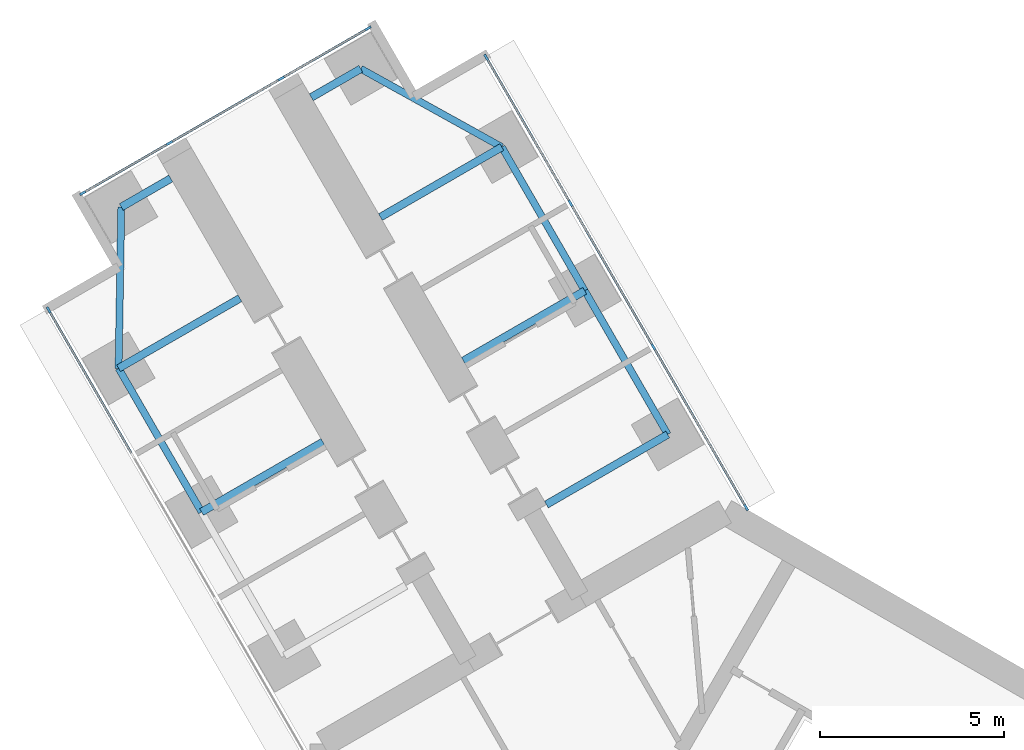
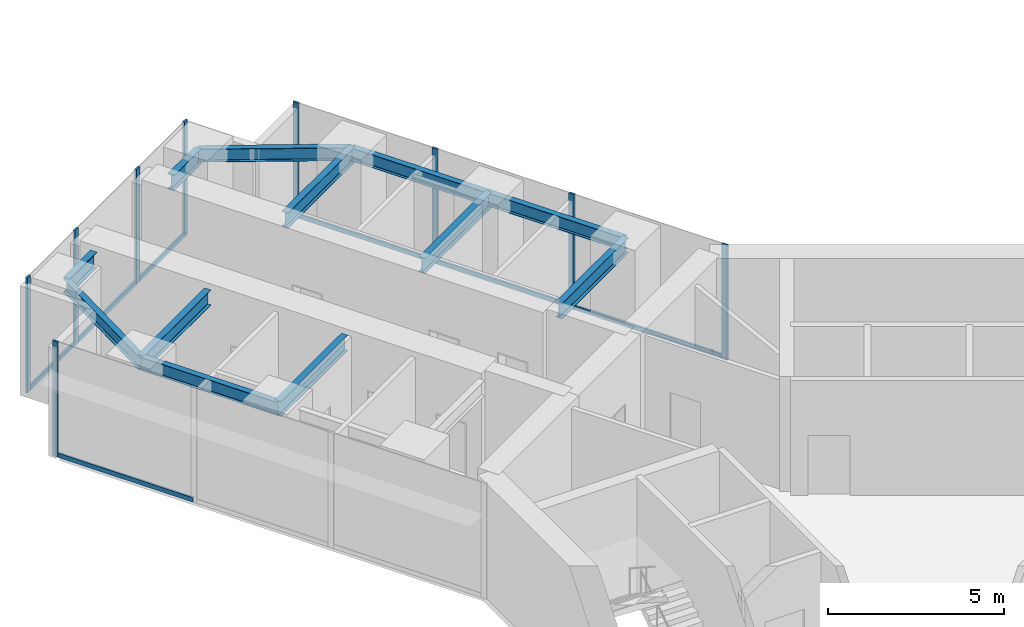
# One storey, part 7 of 24: 16 members, 12 beams, 3 elements without a shape of their own.
"""IFC4 building model written with IfcOpenShell, lengths in metres."""

from ifc_helpers import new_model, si_unit, direction, frame, origin, origin_2d, place, context, subcontext, project, spatial, rectangle, i_section, extrude, material, material_profile, profile_set, type_object, element, aggregate, save


model = new_model("IFC4")

# Units and contexts
model_context = context("Model", 3, precision=1e-05, world=origin(), true_north=direction((0.0, 1.0)))
body_context = subcontext(model_context, "Body", "Model", "MODEL_VIEW")
ifc_project = project(units=[si_unit("LENGTHUNIT", "METRE"), si_unit("AREAUNIT", "SQUARE_METRE"), si_unit("VOLUMEUNIT", "CUBIC_METRE"), si_unit("PLANEANGLEUNIT", "RADIAN"), si_unit("MASSUNIT", "GRAM", prefix="KILO")], contexts=[model_context])

# Site, building, storey
site_placement = place(None, origin())
site = spatial("IfcSite", under=ifc_project, at=site_placement, CompositionType="ELEMENT")
building_placement = place(site_placement, origin())
building = spatial("IfcBuilding", under=site, at=building_placement, Name="Upepo Twin Towers", CompositionType="ELEMENT")
storey_placement = place(building_placement, frame((0.0, 0.0, 60.5)))
storey = spatial("IfcBuildingStorey", under=building, at=storey_placement, Name="L14", CompositionType="ELEMENT", Elevation=60.5)

# Beams
ifc_material_1 = material(Name="Steel S355", Category="steel")
ifc_material_profile_1 = material_profile(ifc_material_1, i_section(OverallWidth=0.1904296875, OverallDepth=0.45703125, WebThickness=0.009033203125, FlangeThickness=0.014404296875, FilletRadius=0.01025390625, at=origin_2d()), Name="UB 457x191x74")
ifc_profile_set_1 = profile_set([ifc_material_profile_1], Name="Steel S355")
beam_type_1 = type_object("IfcBeamType", Name="Beam UB 457x191x74", PredefinedType="BEAM", material=ifc_profile_set_1)
beam_1_placement = place(storey_placement, frame((-14.196044921875, 12.58837890625, 3.571533203125), z_axis=(-0.499990139034, 0.866031096941, 0.0), x_axis=(-0.866031096941, -0.499990139034, 0.0)))
element("IfcBeam", 1, at=beam_1_placement, inside=storey, type_object=beam_type_1, Name="T1 edge beam BL 18.0-22.5", PredefinedType="BEAM", context=body_context, shape_type="SweptSolid", body=[
    extrude(i_section(OverallWidth=0.1904296875, OverallDepth=0.45703125, WebThickness=0.009033203125, FlangeThickness=0.014404296875, FilletRadius=0.01025390625, at=origin_2d()), origin(), (0.0, 0.0, 1.0), 4.5),
])
beam_2_placement = place(storey_placement, frame((-16.446044921875, 16.485595703125, 3.571533203125), z_axis=(0.016803880528, 0.999858804832, 0.0), x_axis=(-0.999858804832, 0.016803880528, 0.0)))
element("IfcBeam", 2, at=beam_2_placement, inside=storey, type_object=beam_type_1, Name="T1 nose edge beam BL", PredefinedType="BEAM", context=body_context, shape_type="SweptSolid", body=[
    extrude(i_section(OverallWidth=0.1904296875, OverallDepth=0.45703125, WebThickness=0.009033203125, FlangeThickness=0.014404296875, FilletRadius=0.01025390625, at=origin_2d()), origin(), (0.0, 0.0, 1.0), 4.373291015625),
])
beam_3_placement = place(storey_placement, frame((-1.553955078125, 14.69140625, 3.571533203125), z_axis=(-0.500013631625, 0.866017533419, 0.0), x_axis=(-0.866017533419, -0.500013631625, 0.0)))
element("IfcBeam", 3, at=beam_3_placement, inside=storey, type_object=beam_type_1, Name="T1 edge beam BR 13.5-18.0", PredefinedType="BEAM", context=body_context, shape_type="SweptSolid", body=[
    extrude(i_section(OverallWidth=0.1904296875, OverallDepth=0.45703125, WebThickness=0.009033203125, FlangeThickness=0.014404296875, FilletRadius=0.01025390625, at=origin_2d()), origin(), (0.0, 0.0, 1.0), 4.499755859375),
])
beam_4_placement = place(storey_placement, frame((-3.803955078125, 18.58837890625, 3.571533203125), z_axis=(-0.499990139034, 0.866031096941, 0.0), x_axis=(-0.866031096941, -0.499990139034, 0.0)))
element("IfcBeam", 4, at=beam_4_placement, inside=storey, type_object=beam_type_1, Name="T1 edge beam BR 18.0-22.5", PredefinedType="BEAM", context=body_context, shape_type="SweptSolid", body=[
    extrude(i_section(OverallWidth=0.1904296875, OverallDepth=0.45703125, WebThickness=0.009033203125, FlangeThickness=0.014404296875, FilletRadius=0.01025390625, at=origin_2d()), origin(), (0.0, 0.0, 1.0), 4.5),
])
beam_5_placement = place(storey_placement, frame((-6.053955078125, 22.485595703125, 3.571533203125), z_axis=(-0.874312600038, 0.485363242752, 0.0), x_axis=(-0.485363242752, -0.874312600038, 0.0)))
element("IfcBeam", 5, at=beam_5_placement, inside=storey, type_object=beam_type_1, Name="T1 nose edge beam BR", PredefinedType="BEAM", context=body_context, shape_type="SweptSolid", body=[
    extrude(i_section(OverallWidth=0.1904296875, OverallDepth=0.45703125, WebThickness=0.009033203125, FlangeThickness=0.014404296875, FilletRadius=0.01025390625, at=origin_2d()), origin(), (0.0, 0.0, 1.0), 4.373046875),
])
ifc_material_2 = material(Name="Steel S355", Category="steel")
ifc_material_profile_2 = material_profile(ifc_material_2, i_section(OverallWidth=0.2119140625, OverallDepth=0.54443359375, WebThickness=0.0126953125, FlangeThickness=0.021240234375, FilletRadius=0.0126953125, at=origin_2d()), Name="UB 533x210x122")
ifc_profile_set_2 = profile_set([ifc_material_profile_2], Name="Steel S355")
beam_type_2 = type_object("IfcBeamType", Name="Beam UB 533x210x122", PredefinedType="BEAM", material=ifc_profile_set_2)
for number, where, z_axis, x_axis, name in (
    (6, (-16.37255859375, 20.858154296875, 3.52783203125), (0.866043940782, 0.499967891604, 0.0), (-0.499967891604, 0.866043940782, 0.0), "T1 nose beam BL"),
    (7, (-9.87744140625, 24.608154296875, 3.52783203125), (-0.866043940782, -0.499967891604, 0.0), (0.499967891604, -0.866043940782, 0.0), "T1 nose beam BR"),
):
    element("IfcBeam", number, at=place(storey_placement, frame(where, z_axis=z_axis, x_axis=x_axis)), inside=storey, type_object=beam_type_2, Name=name, PredefinedType="BEAM", context=body_context, shape_type="SweptSolid", body=[
        extrude(i_section(OverallWidth=0.2119140625, OverallDepth=0.54443359375, WebThickness=0.0126953125, FlangeThickness=0.021240234375, FilletRadius=0.0126953125, at=origin_2d()), origin(), (0.0, 0.0, 1.0), 1.5498046875),
    ])
ifc_material_3 = material(Name="Steel S355", Category="steel")
ifc_material_profile_3 = material_profile(ifc_material_3, i_section(OverallWidth=0.209228515625, OverallDepth=0.533203125, WebThickness=0.010009765625, FlangeThickness=0.015625, FilletRadius=0.0126953125, at=origin_2d()), Name="UB 533x210x92")
ifc_profile_set_3 = profile_set([ifc_material_profile_3], Name="Steel S355")
beam_type_3 = type_object("IfcBeamType", Name="Beam UB 533x210x92", PredefinedType="BEAM", material=ifc_profile_set_3)
beam_6_placement = place(storey_placement, frame((-14.196044921875, 12.58837890625, 3.533447265625), z_axis=(0.866000483506, 0.500043160704, 0.0), x_axis=(-0.500043160704, 0.866000483506, 0.0)))
element("IfcBeam", 8, at=beam_6_placement, inside=storey, type_object=beam_type_3, Name="T1 girder BL at 18.0", PredefinedType="BEAM", context=body_context, shape_type="SweptSolid", body=[
    extrude(i_section(OverallWidth=0.209228515625, OverallDepth=0.533203125, WebThickness=0.010009765625, FlangeThickness=0.015625, FilletRadius=0.0126953125, at=origin_2d()), origin(), (0.0, 0.0, 1.0), 3.800048828125),
])
beam_7_placement = place(storey_placement, frame((-16.446044921875, 16.485595703125, 3.533447265625), z_axis=(0.866028304915, 0.499994975061, 0.0), x_axis=(-0.499994975061, 0.866028304915, 0.0)))
element("IfcBeam", 9, at=beam_7_placement, inside=storey, type_object=beam_type_3, Name="T1 girder BL at 22.5", PredefinedType="BEAM", context=body_context, shape_type="SweptSolid", body=[
    extrude(i_section(OverallWidth=0.209228515625, OverallDepth=0.533203125, WebThickness=0.010009765625, FlangeThickness=0.015625, FilletRadius=0.0126953125, at=origin_2d()), origin(), (0.0, 0.0, 1.0), 3.7998046875),
])
beam_8_placement = place(storey_placement, frame((-1.553955078125, 14.69140625, 3.533447265625), z_axis=(-0.866000483506, -0.500043160704, 0.0), x_axis=(0.500043160704, -0.866000483506, 0.0)))
element("IfcBeam", 10, at=beam_8_placement, inside=storey, type_object=beam_type_3, Name="T1 girder BR at 13.5", PredefinedType="BEAM", context=body_context, shape_type="SweptSolid", body=[
    extrude(i_section(OverallWidth=0.209228515625, OverallDepth=0.533203125, WebThickness=0.010009765625, FlangeThickness=0.015625, FilletRadius=0.0126953125, at=origin_2d()), origin(), (0.0, 0.0, 1.0), 3.800048828125),
])
for number, where, z_axis, x_axis, name in (
    (11, (-3.803955078125, 18.58837890625, 3.533447265625), (-0.866028304915, -0.499994975061, 0.0), (0.499994975061, -0.866028304915, 0.0), "T1 girder BR at 18.0"),
    (12, (-6.053955078125, 22.485595703125, 3.533447265625), (-0.866028304915, -0.499994975061, 0.0), (0.499994975061, -0.866028304915, 0.0), "T1 girder BR at 22.5"),
):
    element("IfcBeam", number, at=place(storey_placement, frame(where, z_axis=z_axis, x_axis=x_axis)), inside=storey, type_object=beam_type_3, Name=name, PredefinedType="BEAM", context=body_context, shape_type="SweptSolid", body=[
        extrude(i_section(OverallWidth=0.209228515625, OverallDepth=0.533203125, WebThickness=0.010009765625, FlangeThickness=0.015625, FilletRadius=0.0126953125, at=origin_2d()), origin(), (0.0, 0.0, 1.0), 3.7998046875),
    ])

# Curtain wall, member
ifc_material_4 = material(Name="Aluminium and fritted glass", Category="aluminium")
curtain_wall_type = type_object("IfcCurtainWallType", Name="Tower curtain wall TW1, fritted glass", PredefinedType="NOTDEFINED", material=ifc_material_4)
curtain_wall_1_placement = place(storey_placement, origin())
curtain_wall_1 = element("IfcCurtainWall", 13, at=curtain_wall_1_placement, inside=storey, type_object=curtain_wall_type, Name="T1 L14 wing B flank L curtain wall", PredefinedType="NOTDEFINED")
ifc_material_5 = material(Name="Aluminium mullion", Category="aluminium")
ifc_material_profile_4 = material_profile(ifc_material_5, rectangle(XDim=0.06494140625, YDim=0.179931640625, at=origin_2d()), Name="MULLION 65x180")
ifc_profile_set_4 = profile_set([ifc_material_profile_4], Name="Aluminium mullion")
member_type_1 = type_object("IfcMemberType", Name="Mullion 65x180 TW1", PredefinedType="MULLION", material=ifc_profile_set_4)
member_1_placement = place(storey_placement, frame((-18.341064453125, 18.067626953125, 0.0), z_axis=(0.0, 0.0, 1.0), x_axis=(-0.866025389682, -0.500000024426, 0.0)))
member_1 = element("IfcMember", 14, at=member_1_placement, type_object=member_type_1, Name="T1 L14 wing B flank L curtain wall mullion 4", PredefinedType="MULLION", context=body_context, shape_type="SweptSolid", body=[
    extrude(rectangle(XDim=0.06494140625, YDim=0.179931640625, at=origin_2d()), origin(), (0.0, 0.0, 1.0), 4.0),
])

# Curtain wall, members
curtain_wall_2_placement = place(storey_placement, origin())
curtain_wall_2 = element("IfcCurtainWall", 15, at=curtain_wall_2_placement, inside=storey, type_object=curtain_wall_type, Name="T1 L14 wing B flank R curtain wall", PredefinedType="NOTDEFINED")
member_2_placement = place(storey_placement, frame((-6.4765625, 24.91748046875, 0.0), z_axis=(0.0, 0.0, 1.0), x_axis=(0.866025389682, 0.500000024426, 0.0)))
member_2 = element("IfcMember", 16, at=member_2_placement, type_object=member_type_1, Name="T1 L14 wing B flank R curtain wall mullion 1", PredefinedType="MULLION", context=body_context, shape_type="SweptSolid", body=[
    extrude(rectangle(XDim=0.06494140625, YDim=0.179931640625, at=origin_2d()), origin(), (0.0, 0.0, 1.0), 4.0),
])
member_3_placement = place(storey_placement, frame((-4.192626953125, 20.9619140625, 0.0), z_axis=(0.0, 0.0, 1.0), x_axis=(0.866025389682, 0.500000024426, 0.0)))
member_3 = element("IfcMember", 17, at=member_3_placement, type_object=member_type_1, Name="T1 L14 wing B flank R curtain wall mullion 2", PredefinedType="MULLION", context=body_context, shape_type="SweptSolid", body=[
    extrude(rectangle(XDim=0.06494140625, YDim=0.179931640625, at=origin_2d()), origin(), (0.0, 0.0, 1.0), 4.0),
])
member_4_placement = place(storey_placement, frame((-1.942626953125, 17.06494140625, 0.0), z_axis=(0.0, 0.0, 1.0), x_axis=(0.866025389682, 0.500000024426, 0.0)))
member_4 = element("IfcMember", 18, at=member_4_placement, type_object=member_type_1, Name="T1 L14 wing B flank R curtain wall mullion 3", PredefinedType="MULLION", context=body_context, shape_type="SweptSolid", body=[
    extrude(rectangle(XDim=0.06494140625, YDim=0.179931640625, at=origin_2d()), origin(), (0.0, 0.0, 1.0), 4.0),
])
member_5_placement = place(storey_placement, frame((0.572509765625, 12.70849609375, 0.0), z_axis=(0.0, 0.0, 1.0), x_axis=(0.866025389682, 0.500000024426, 0.0)))
member_5 = element("IfcMember", 19, at=member_5_placement, type_object=member_type_1, Name="T1 L14 wing B flank R curtain wall mullion 4", PredefinedType="MULLION", context=body_context, shape_type="SweptSolid", body=[
    extrude(rectangle(XDim=0.06494140625, YDim=0.179931640625, at=origin_2d()), origin(), (0.0, 0.0, 1.0), 4.0),
])

curtain_wall_3_placement = place(storey_placement, origin())
curtain_wall_3 = element("IfcCurtainWall", 20, at=curtain_wall_3_placement, inside=storey, type_object=curtain_wall_type, Name="T1 L14 wing B nose curtain wall", PredefinedType="NOTDEFINED")
member_6_placement = place(storey_placement, frame((-9.68115234375, 25.703125, 0.0), z_axis=(0.0, 0.0, 1.0), x_axis=(0.500000030502, -0.866025386174, 0.0)))
member_6 = element("IfcMember", 21, at=member_6_placement, type_object=member_type_1, Name="T1 L14 wing B nose curtain wall mullion 1", PredefinedType="MULLION", context=body_context, shape_type="SweptSolid", body=[
    extrude(rectangle(XDim=0.06494140625, YDim=0.179931640625, at=origin_2d()), origin(), (0.0, 0.0, 1.0), 4.0),
])
member_7_placement = place(storey_placement, frame((-12.034423828125, 24.34423828125, 0.0), z_axis=(0.0, 0.0, 1.0), x_axis=(0.500000030502, -0.866025386174, 0.0)))
member_7 = element("IfcMember", 22, at=member_7_placement, type_object=member_type_1, Name="T1 L14 wing B nose curtain wall mullion 2", PredefinedType="MULLION", context=body_context, shape_type="SweptSolid", body=[
    extrude(rectangle(XDim=0.06494140625, YDim=0.179931640625, at=origin_2d()), origin(), (0.0, 0.0, 1.0), 4.0),
])
member_8_placement = place(storey_placement, frame((-15.0654296875, 22.59423828125, 0.0), z_axis=(0.0, 0.0, 1.0), x_axis=(0.500000030502, -0.866025386174, 0.0)))
member_8 = element("IfcMember", 23, at=member_8_placement, type_object=member_type_1, Name="T1 L14 wing B nose curtain wall mullion 3", PredefinedType="MULLION", context=body_context, shape_type="SweptSolid", body=[
    extrude(rectangle(XDim=0.06494140625, YDim=0.179931640625, at=origin_2d()), origin(), (0.0, 0.0, 1.0), 4.0),
])
member_9_placement = place(storey_placement, frame((-17.4189453125, 21.235595703125, 0.0), z_axis=(0.0, 0.0, 1.0), x_axis=(0.500000030502, -0.866025386174, 0.0)))
member_9 = element("IfcMember", 24, at=member_9_placement, type_object=member_type_1, Name="T1 L14 wing B nose curtain wall mullion 4", PredefinedType="MULLION", context=body_context, shape_type="SweptSolid", body=[
    extrude(rectangle(XDim=0.06494140625, YDim=0.179931640625, at=origin_2d()), origin(), (0.0, 0.0, 1.0), 4.0),
])

# Member
ifc_material_6 = material(Name="Aluminium transom", Category="aluminium")
ifc_material_profile_5 = material_profile(ifc_material_6, rectangle(XDim=0.06494140625, YDim=0.14990234375, at=origin_2d()), Name="TRANSOM 65x150")
ifc_profile_set_5 = profile_set([ifc_material_profile_5], Name="Aluminium transom")
member_type_2 = type_object("IfcMemberType", Name="Transom 65x150 TW1", PredefinedType="USERDEFINED", material=ifc_profile_set_5)
member_10_placement = place(storey_placement, frame((-16.073486328125, 14.14013671875, 0.074951171875), z_axis=(-0.499982167615, 0.866035699072, 0.0), x_axis=(-0.866035699072, -0.499982167615, 0.0)))
member_10 = element("IfcMember", 25, at=member_10_placement, type_object=member_type_2, Name="T1 L14 wing B flank L curtain wall transom 3", ObjectType="TRANSOM", PredefinedType="USERDEFINED", context=body_context, shape_type="SweptSolid", body=[
    extrude(rectangle(XDim=0.06494140625, YDim=0.14990234375, at=origin_2d()), origin(), (0.0, 0.0, 1.0), 4.502685546875),
])

aggregate(curtain_wall_1, [member_1, member_10])

member_11_placement = place(storey_placement, frame((-6.460205078125, 24.889404296875, 0.074951171875), z_axis=(0.500005646842, -0.866022143554, 0.0), x_axis=(0.866022143554, 0.500005646842, 0.0)))
member_11 = element("IfcMember", 26, at=member_11_placement, type_object=member_type_2, Name="T1 L14 wing B flank R curtain wall transom 1", ObjectType="TRANSOM", PredefinedType="USERDEFINED", context=body_context, shape_type="SweptSolid", body=[
    extrude(rectangle(XDim=0.06494140625, YDim=0.14990234375, at=origin_2d()), origin(), (0.0, 0.0, 1.0), 4.50244140625),
])

member_12_placement = place(storey_placement, frame((-4.176513671875, 20.933837890625, 0.074951171875), z_axis=(0.500005184116, -0.866022410713, 0.0), x_axis=(0.866022410713, 0.500005184116, 0.0)))
member_12 = element("IfcMember", 27, at=member_12_placement, type_object=member_type_2, Name="T1 L14 wing B flank R curtain wall transom 2", ObjectType="TRANSOM", PredefinedType="USERDEFINED", context=body_context, shape_type="SweptSolid", body=[
    extrude(rectangle(XDim=0.06494140625, YDim=0.14990234375, at=origin_2d()), origin(), (0.0, 0.0, 1.0), 4.43505859375),
])

member_13_placement = place(storey_placement, frame((-1.926513671875, 17.036865234375, 0.074951171875), z_axis=(0.499983492876, -0.866034933967, 0.0), x_axis=(0.866034933967, 0.499983492876, 0.0)))
member_13 = element("IfcMember", 28, at=member_13_placement, type_object=member_type_2, Name="T1 L14 wing B flank R curtain wall transom 3", ObjectType="TRANSOM", PredefinedType="USERDEFINED", context=body_context, shape_type="SweptSolid", body=[
    extrude(rectangle(XDim=0.06494140625, YDim=0.14990234375, at=origin_2d()), origin(), (0.0, 0.0, 1.0), 4.965576171875),
])

aggregate(curtain_wall_2, [member_2, member_3, member_4, member_5, member_11, member_12, member_13])

member_14_placement = place(storey_placement, frame((-9.709228515625, 25.686767578125, 0.074951171875), z_axis=(-0.866036909293, -0.499980071345, 0.0), x_axis=(0.499980071345, -0.866036909293, 0.0)))
member_14 = element("IfcMember", 29, at=member_14_placement, type_object=member_type_2, Name="T1 L14 wing B nose curtain wall transom 1", ObjectType="TRANSOM", PredefinedType="USERDEFINED", context=body_context, shape_type="SweptSolid", body=[
    extrude(rectangle(XDim=0.06494140625, YDim=0.14990234375, at=origin_2d()), origin(), (0.0, 0.0, 1.0), 2.65234375),
])

member_15_placement = place(storey_placement, frame((-12.0625, 24.328125, 0.074951171875), z_axis=(-0.866025804792, -0.499999305434, 0.0), x_axis=(0.499999305434, -0.866025804792, 0.0)))
member_15 = element("IfcMember", 30, at=member_15_placement, type_object=member_type_2, Name="T1 L14 wing B nose curtain wall transom 2", ObjectType="TRANSOM", PredefinedType="USERDEFINED", context=body_context, shape_type="SweptSolid", body=[
    extrude(rectangle(XDim=0.06494140625, YDim=0.14990234375, at=origin_2d()), origin(), (0.0, 0.0, 1.0), 3.43505859375),
])

member_16_placement = place(storey_placement, frame((-15.09375, 22.578125, 0.074951171875), z_axis=(-0.865997053448, -0.500049101008, 0.0), x_axis=(0.500049101008, -0.865997053448, 0.0)))
member_16 = element("IfcMember", 31, at=member_16_placement, type_object=member_type_2, Name="T1 L14 wing B nose curtain wall transom 3", ObjectType="TRANSOM", PredefinedType="USERDEFINED", context=body_context, shape_type="SweptSolid", body=[
    extrude(rectangle(XDim=0.06494140625, YDim=0.14990234375, at=origin_2d()), origin(), (0.0, 0.0, 1.0), 2.652587890625),
])

aggregate(curtain_wall_3, [member_6, member_7, member_8, member_9, member_14, member_15, member_16])

save(model, "model.ifc")
